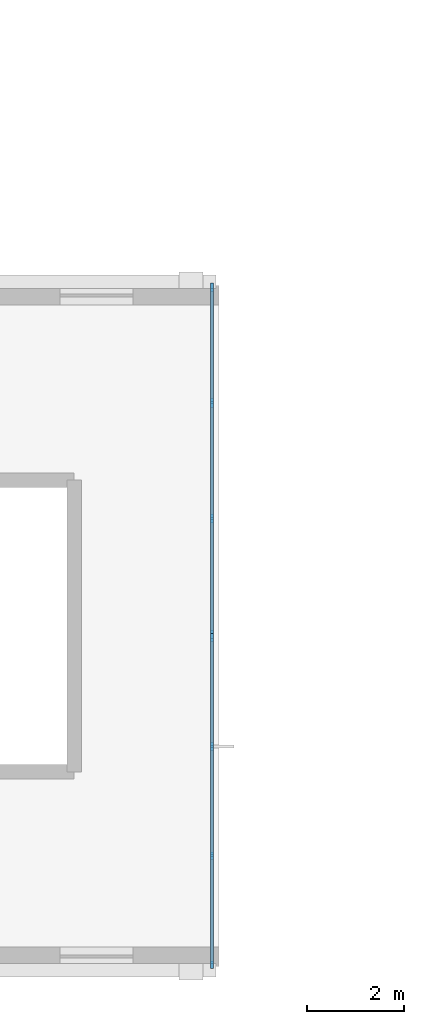
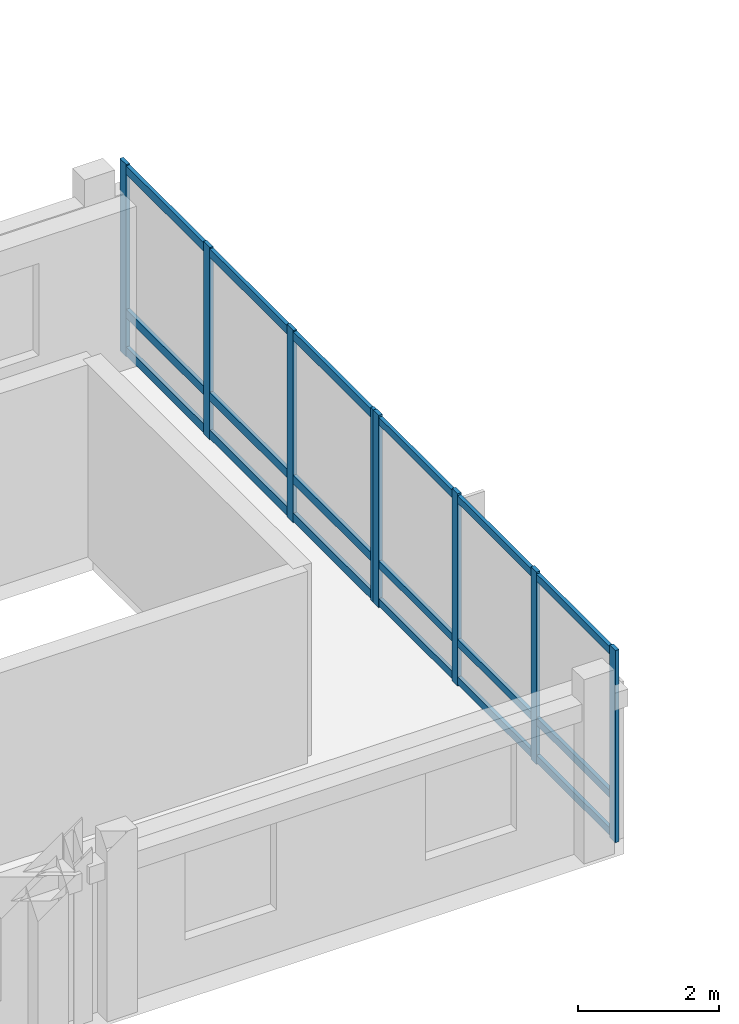
# One storey, part 21 of 74: 26 members, 2 elements without a shape of their own.
"""IFC4 building model written with IfcOpenShell, lengths in metres."""

from ifc_helpers import new_model, si_unit, direction, frame, origin, origin_2d, place, context, subcontext, project, spatial, rectangle, extrude, material, material_profile, profile_set, type_object, element, aggregate, save


model = new_model("IFC4")

# Units and contexts
model_context = context("Model", 3, precision=1e-05, world=origin(), true_north=direction((0.0, 1.0)))
body_context = subcontext(model_context, "Body", "Model", "MODEL_VIEW")
ifc_project = project(units=[si_unit("LENGTHUNIT", "METRE"), si_unit("AREAUNIT", "SQUARE_METRE"), si_unit("VOLUMEUNIT", "CUBIC_METRE"), si_unit("PLANEANGLEUNIT", "RADIAN"), si_unit("MASSUNIT", "GRAM", prefix="KILO")], contexts=[model_context])

# Site, building, storey
site_placement = place(None, origin())
site = spatial("IfcSite", under=ifc_project, at=site_placement, CompositionType="ELEMENT")
building_placement = place(site_placement, origin())
building = spatial("IfcBuilding", under=site, at=building_placement, Name="Clarverna Civic Hall", CompositionType="ELEMENT")
storey_placement = place(building_placement, frame((0.0, 0.0, 13.199951171875)))
storey = spatial("IfcBuildingStorey", under=building, at=storey_placement, Name="L03", CompositionType="ELEMENT", Elevation=13.199951171875)

# Curtain wall, members
ifc_material = material(Name="Anodised Bronze Architectural Aluminium", Category="aluminium")
curtain_wall_type = type_object("IfcCurtainWallType", Name="CW-05", PredefinedType="USERDEFINED", material=ifc_material)
curtain_wall_1_placement = place(storey_placement, origin())
curtain_wall_1 = element("IfcCurtainWall", 1, at=curtain_wall_1_placement, inside=storey, type_object=curtain_wall_type, Name="CW-05-021", ObjectType="UNITISED CURTAIN WALL", PredefinedType="USERDEFINED")
ifc_material_profile_1 = material_profile(ifc_material, rectangle(XDim=0.06005859375, YDim=0.179931640625, at=origin_2d()), Name="BRONZE 60x180")
ifc_profile_set_1 = profile_set([ifc_material_profile_1], Name="Anodised Bronze Architectural Aluminium")
member_type_1 = type_object("IfcMemberType", Name="CWM-01", PredefinedType="MULLION", material=ifc_profile_set_1)
member_1_placement = place(storey_placement, frame((66.43505859375, 13.967041015625, 0.0), z_axis=(0.0, 0.0, 1.0), x_axis=(1.0, 0.0, 0.0)))
member_1 = element("IfcMember", 2, at=member_1_placement, type_object=member_type_1, Name="CWM-01-148", PredefinedType="MULLION", context=body_context, shape_type="SweptSolid", body=[
    extrude(rectangle(XDim=0.06005859375, YDim=0.179931640625, at=origin_2d()), origin(), (0.0, 0.0, 1.0), 3.340087890625),
])
member_2_placement = place(storey_placement, frame((66.43505859375, 11.589111328125, 0.0), z_axis=(0.0, 0.0, 1.0), x_axis=(1.0, 0.0, 0.0)))
member_2 = element("IfcMember", 3, at=member_2_placement, type_object=member_type_1, Name="CWM-01-149", PredefinedType="MULLION", context=body_context, shape_type="SweptSolid", body=[
    extrude(rectangle(XDim=0.06005859375, YDim=0.179931640625, at=origin_2d()), origin(), (0.0, 0.0, 1.0), 3.340087890625),
])
member_3_placement = place(storey_placement, frame((66.43505859375, 9.2109375, 0.0), z_axis=(0.0, 0.0, 1.0), x_axis=(1.0, 0.0, 0.0)))
member_3 = element("IfcMember", 4, at=member_3_placement, type_object=member_type_1, Name="CWM-01-150", PredefinedType="MULLION", context=body_context, shape_type="SweptSolid", body=[
    extrude(rectangle(XDim=0.06005859375, YDim=0.179931640625, at=origin_2d()), origin(), (0.0, 0.0, 1.0), 3.340087890625),
])
member_4_placement = place(storey_placement, frame((66.43505859375, 6.8330078125, 0.0), z_axis=(0.0, 0.0, 1.0), x_axis=(1.0, 0.0, 0.0)))
member_4 = element("IfcMember", 5, at=member_4_placement, type_object=member_type_1, Name="CWM-01-151", PredefinedType="MULLION", context=body_context, shape_type="SweptSolid", body=[
    extrude(rectangle(XDim=0.06005859375, YDim=0.179931640625, at=origin_2d()), origin(), (0.0, 0.0, 1.0), 3.340087890625),
])

curtain_wall_2_placement = place(storey_placement, origin())
curtain_wall_2 = element("IfcCurtainWall", 6, at=curtain_wall_2_placement, inside=storey, type_object=curtain_wall_type, Name="CW-05-022", ObjectType="UNITISED CURTAIN WALL", PredefinedType="USERDEFINED")
ifc_material_profile_2 = material_profile(ifc_material, rectangle(XDim=0.06005859375, YDim=0.159912109375, at=origin_2d()), Name="BRONZE 60x160")
ifc_profile_set_2 = profile_set([ifc_material_profile_2], Name="Anodised Bronze Architectural Aluminium")
member_type_2 = type_object("IfcMemberType", Name="CWM-02", PredefinedType="MULLION", material=ifc_profile_set_2)
member_5_placement = place(storey_placement, frame((66.43505859375, 6.76708984375, 0.0), z_axis=(0.0, 0.0, 1.0), x_axis=(1.0, 0.0, 0.0)))
member_5 = element("IfcMember", 7, at=member_5_placement, type_object=member_type_2, Name="CWM-02-188", PredefinedType="MULLION", context=body_context, shape_type="SweptSolid", body=[
    extrude(rectangle(XDim=0.06005859375, YDim=0.159912109375, at=origin_2d()), origin(), (0.0, 0.0, 1.0), 3.340087890625),
])
member_6_placement = place(storey_placement, frame((66.43505859375, 4.522216796875, 0.0), z_axis=(0.0, 0.0, 1.0), x_axis=(1.0, 0.0, 0.0)))
member_6 = element("IfcMember", 8, at=member_6_placement, type_object=member_type_2, Name="CWM-02-189", PredefinedType="MULLION", context=body_context, shape_type="SweptSolid", body=[
    extrude(rectangle(XDim=0.06005859375, YDim=0.159912109375, at=origin_2d()), origin(), (0.0, 0.0, 1.0), 3.340087890625),
])
member_7_placement = place(storey_placement, frame((66.43505859375, 2.277587890625, 0.0), z_axis=(0.0, 0.0, 1.0), x_axis=(1.0, 0.0, 0.0)))
member_7 = element("IfcMember", 9, at=member_7_placement, type_object=member_type_2, Name="CWM-02-190", PredefinedType="MULLION", context=body_context, shape_type="SweptSolid", body=[
    extrude(rectangle(XDim=0.06005859375, YDim=0.159912109375, at=origin_2d()), origin(), (0.0, 0.0, 1.0), 3.340087890625),
])
member_8_placement = place(storey_placement, frame((66.43505859375, 0.032958984375, 0.0), z_axis=(0.0, 0.0, 1.0), x_axis=(1.0, 0.0, 0.0)))
member_8 = element("IfcMember", 10, at=member_8_placement, type_object=member_type_2, Name="CWM-02-191", PredefinedType="MULLION", context=body_context, shape_type="SweptSolid", body=[
    extrude(rectangle(XDim=0.06005859375, YDim=0.159912109375, at=origin_2d()), origin(), (0.0, 0.0, 1.0), 3.340087890625),
])

# Member
ifc_material_profile_3 = material_profile(ifc_material, rectangle(XDim=0.06005859375, YDim=0.14990234375, at=origin_2d()), Name="BRONZE 60x150")
ifc_profile_set_3 = profile_set([ifc_material_profile_3], Name="Anodised Bronze Architectural Aluminium")
member_type_3 = type_object("IfcMemberType", Name="CWT-01", PredefinedType="USERDEFINED", material=ifc_profile_set_3)
member_9_placement = place(storey_placement, frame((66.43505859375, 13.951904296875, 0.094970703125), z_axis=(0.0, -1.0, 0.0), x_axis=(1.0, 0.0, 0.0)))
member_9 = element("IfcMember", 11, at=member_9_placement, type_object=member_type_3, Name="CWT-01-316", ObjectType="TRANSOM", PredefinedType="USERDEFINED", context=body_context, shape_type="SweptSolid", body=[
    extrude(rectangle(XDim=0.06005859375, YDim=0.14990234375, at=origin_2d()), origin(), (0.0, 0.0, 1.0), 2.347900390625),
])

member_10_placement = place(storey_placement, frame((66.43505859375, 13.951904296875, 0.75), z_axis=(0.0, -1.0, 0.0), x_axis=(1.0, 0.0, 0.0)))
member_10 = element("IfcMember", 12, at=member_10_placement, type_object=member_type_3, Name="CWT-01-317", ObjectType="TRANSOM", PredefinedType="USERDEFINED", context=body_context, shape_type="SweptSolid", body=[
    extrude(rectangle(XDim=0.06005859375, YDim=0.14990234375, at=origin_2d()), origin(), (0.0, 0.0, 1.0), 2.347900390625),
])

member_11_placement = place(storey_placement, frame((66.43505859375, 13.951904296875, 3.2451171875), z_axis=(0.0, -1.0, 0.0), x_axis=(1.0, 0.0, 0.0)))
member_11 = element("IfcMember", 13, at=member_11_placement, type_object=member_type_3, Name="CWT-01-318", ObjectType="TRANSOM", PredefinedType="USERDEFINED", context=body_context, shape_type="SweptSolid", body=[
    extrude(rectangle(XDim=0.06005859375, YDim=0.14990234375, at=origin_2d()), origin(), (0.0, 0.0, 1.0), 2.347900390625),
])

member_12_placement = place(storey_placement, frame((66.43505859375, 11.573974609375, 0.094970703125), z_axis=(0.0, -1.0, 0.0), x_axis=(1.0, 0.0, 0.0)))
member_12 = element("IfcMember", 14, at=member_12_placement, type_object=member_type_3, Name="CWT-01-319", ObjectType="TRANSOM", PredefinedType="USERDEFINED", context=body_context, shape_type="SweptSolid", body=[
    extrude(rectangle(XDim=0.06005859375, YDim=0.14990234375, at=origin_2d()), origin(), (0.0, 0.0, 1.0), 2.347900390625),
])

member_13_placement = place(storey_placement, frame((66.43505859375, 11.573974609375, 0.75), z_axis=(0.0, -1.0, 0.0), x_axis=(1.0, 0.0, 0.0)))
member_13 = element("IfcMember", 15, at=member_13_placement, type_object=member_type_3, Name="CWT-01-320", ObjectType="TRANSOM", PredefinedType="USERDEFINED", context=body_context, shape_type="SweptSolid", body=[
    extrude(rectangle(XDim=0.06005859375, YDim=0.14990234375, at=origin_2d()), origin(), (0.0, 0.0, 1.0), 2.347900390625),
])

member_14_placement = place(storey_placement, frame((66.43505859375, 11.573974609375, 3.2451171875), z_axis=(0.0, -1.0, 0.0), x_axis=(1.0, 0.0, 0.0)))
member_14 = element("IfcMember", 16, at=member_14_placement, type_object=member_type_3, Name="CWT-01-321", ObjectType="TRANSOM", PredefinedType="USERDEFINED", context=body_context, shape_type="SweptSolid", body=[
    extrude(rectangle(XDim=0.06005859375, YDim=0.14990234375, at=origin_2d()), origin(), (0.0, 0.0, 1.0), 2.347900390625),
])

member_15_placement = place(storey_placement, frame((66.43505859375, 9.196044921875, 0.094970703125), z_axis=(0.0, -1.0, 0.0), x_axis=(1.0, 0.0, 0.0)))
member_15 = element("IfcMember", 17, at=member_15_placement, type_object=member_type_3, Name="CWT-01-322", ObjectType="TRANSOM", PredefinedType="USERDEFINED", context=body_context, shape_type="SweptSolid", body=[
    extrude(rectangle(XDim=0.06005859375, YDim=0.14990234375, at=origin_2d()), origin(), (0.0, 0.0, 1.0), 2.34814453125),
])

member_16_placement = place(storey_placement, frame((66.43505859375, 9.196044921875, 0.75), z_axis=(0.0, -1.0, 0.0), x_axis=(1.0, 0.0, 0.0)))
member_16 = element("IfcMember", 18, at=member_16_placement, type_object=member_type_3, Name="CWT-01-323", ObjectType="TRANSOM", PredefinedType="USERDEFINED", context=body_context, shape_type="SweptSolid", body=[
    extrude(rectangle(XDim=0.06005859375, YDim=0.14990234375, at=origin_2d()), origin(), (0.0, 0.0, 1.0), 2.34814453125),
])

member_17_placement = place(storey_placement, frame((66.43505859375, 9.196044921875, 3.2451171875), z_axis=(0.0, -1.0, 0.0), x_axis=(1.0, 0.0, 0.0)))
member_17 = element("IfcMember", 19, at=member_17_placement, type_object=member_type_3, Name="CWT-01-324", ObjectType="TRANSOM", PredefinedType="USERDEFINED", context=body_context, shape_type="SweptSolid", body=[
    extrude(rectangle(XDim=0.06005859375, YDim=0.14990234375, at=origin_2d()), origin(), (0.0, 0.0, 1.0), 2.34814453125),
])

aggregate(curtain_wall_1, [member_1, member_2, member_3, member_4, member_9, member_10, member_11, member_12, member_13, member_14, member_15, member_16, member_17])

ifc_material_profile_4 = material_profile(ifc_material, rectangle(XDim=0.06005859375, YDim=0.1298828125, at=origin_2d()), Name="BRONZE 60x130")
ifc_profile_set_4 = profile_set([ifc_material_profile_4], Name="Anodised Bronze Architectural Aluminium")
member_type_4 = type_object("IfcMemberType", Name="CWT-02", PredefinedType="USERDEFINED", material=ifc_profile_set_4)
member_18_placement = place(storey_placement, frame((66.43505859375, 6.751953125, 0.094970703125), z_axis=(0.0, -1.0, 0.0), x_axis=(1.0, 0.0, 0.0)))
member_18 = element("IfcMember", 20, at=member_18_placement, type_object=member_type_4, Name="CWT-02-397", ObjectType="TRANSOM", PredefinedType="USERDEFINED", context=body_context, shape_type="SweptSolid", body=[
    extrude(rectangle(XDim=0.06005859375, YDim=0.1298828125, at=origin_2d()), origin(), (0.0, 0.0, 1.0), 2.214599609375),
])

member_19_placement = place(storey_placement, frame((66.43505859375, 6.751953125, 0.75), z_axis=(0.0, -1.0, 0.0), x_axis=(1.0, 0.0, 0.0)))
member_19 = element("IfcMember", 21, at=member_19_placement, type_object=member_type_4, Name="CWT-02-398", ObjectType="TRANSOM", PredefinedType="USERDEFINED", context=body_context, shape_type="SweptSolid", body=[
    extrude(rectangle(XDim=0.06005859375, YDim=0.1298828125, at=origin_2d()), origin(), (0.0, 0.0, 1.0), 2.214599609375),
])

member_20_placement = place(storey_placement, frame((66.43505859375, 6.751953125, 3.2451171875), z_axis=(0.0, -1.0, 0.0), x_axis=(1.0, 0.0, 0.0)))
member_20 = element("IfcMember", 22, at=member_20_placement, type_object=member_type_4, Name="CWT-02-399", ObjectType="TRANSOM", PredefinedType="USERDEFINED", context=body_context, shape_type="SweptSolid", body=[
    extrude(rectangle(XDim=0.06005859375, YDim=0.1298828125, at=origin_2d()), origin(), (0.0, 0.0, 1.0), 2.214599609375),
])

member_21_placement = place(storey_placement, frame((66.43505859375, 4.50732421875, 0.094970703125), z_axis=(0.0, -1.0, 0.0), x_axis=(1.0, 0.0, 0.0)))
member_21 = element("IfcMember", 23, at=member_21_placement, type_object=member_type_4, Name="CWT-02-400", ObjectType="TRANSOM", PredefinedType="USERDEFINED", context=body_context, shape_type="SweptSolid", body=[
    extrude(rectangle(XDim=0.06005859375, YDim=0.1298828125, at=origin_2d()), origin(), (0.0, 0.0, 1.0), 2.214599609375),
])

member_22_placement = place(storey_placement, frame((66.43505859375, 4.50732421875, 0.75), z_axis=(0.0, -1.0, 0.0), x_axis=(1.0, 0.0, 0.0)))
member_22 = element("IfcMember", 24, at=member_22_placement, type_object=member_type_4, Name="CWT-02-401", ObjectType="TRANSOM", PredefinedType="USERDEFINED", context=body_context, shape_type="SweptSolid", body=[
    extrude(rectangle(XDim=0.06005859375, YDim=0.1298828125, at=origin_2d()), origin(), (0.0, 0.0, 1.0), 2.214599609375),
])

member_23_placement = place(storey_placement, frame((66.43505859375, 4.50732421875, 3.2451171875), z_axis=(0.0, -1.0, 0.0), x_axis=(1.0, 0.0, 0.0)))
member_23 = element("IfcMember", 25, at=member_23_placement, type_object=member_type_4, Name="CWT-02-402", ObjectType="TRANSOM", PredefinedType="USERDEFINED", context=body_context, shape_type="SweptSolid", body=[
    extrude(rectangle(XDim=0.06005859375, YDim=0.1298828125, at=origin_2d()), origin(), (0.0, 0.0, 1.0), 2.214599609375),
])

member_24_placement = place(storey_placement, frame((66.43505859375, 2.2626953125, 0.094970703125), z_axis=(0.0, -1.0, 0.0), x_axis=(1.0, 0.0, 0.0)))
member_24 = element("IfcMember", 26, at=member_24_placement, type_object=member_type_4, Name="CWT-02-403", ObjectType="TRANSOM", PredefinedType="USERDEFINED", context=body_context, shape_type="SweptSolid", body=[
    extrude(rectangle(XDim=0.06005859375, YDim=0.1298828125, at=origin_2d()), origin(), (0.0, 0.0, 1.0), 2.214599609375),
])

member_25_placement = place(storey_placement, frame((66.43505859375, 2.2626953125, 0.75), z_axis=(0.0, -1.0, 0.0), x_axis=(1.0, 0.0, 0.0)))
member_25 = element("IfcMember", 27, at=member_25_placement, type_object=member_type_4, Name="CWT-02-404", ObjectType="TRANSOM", PredefinedType="USERDEFINED", context=body_context, shape_type="SweptSolid", body=[
    extrude(rectangle(XDim=0.06005859375, YDim=0.1298828125, at=origin_2d()), origin(), (0.0, 0.0, 1.0), 2.214599609375),
])

member_26_placement = place(storey_placement, frame((66.43505859375, 2.2626953125, 3.2451171875), z_axis=(0.0, -1.0, 0.0), x_axis=(1.0, 0.0, 0.0)))
member_26 = element("IfcMember", 28, at=member_26_placement, type_object=member_type_4, Name="CWT-02-405", ObjectType="TRANSOM", PredefinedType="USERDEFINED", context=body_context, shape_type="SweptSolid", body=[
    extrude(rectangle(XDim=0.06005859375, YDim=0.1298828125, at=origin_2d()), origin(), (0.0, 0.0, 1.0), 2.214599609375),
])

aggregate(curtain_wall_2, [member_5, member_6, member_7, member_8, member_18, member_19, member_20, member_21, member_22, member_23, member_24, member_25, member_26])

save(model, "model.ifc")
